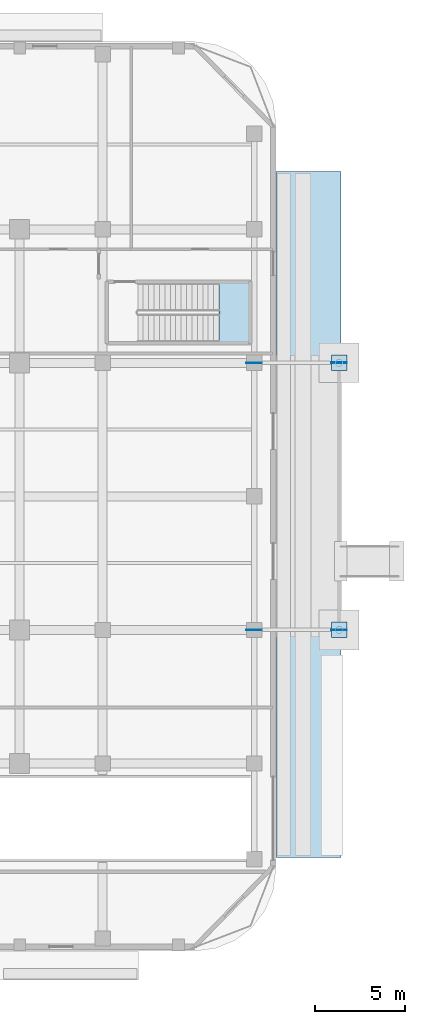
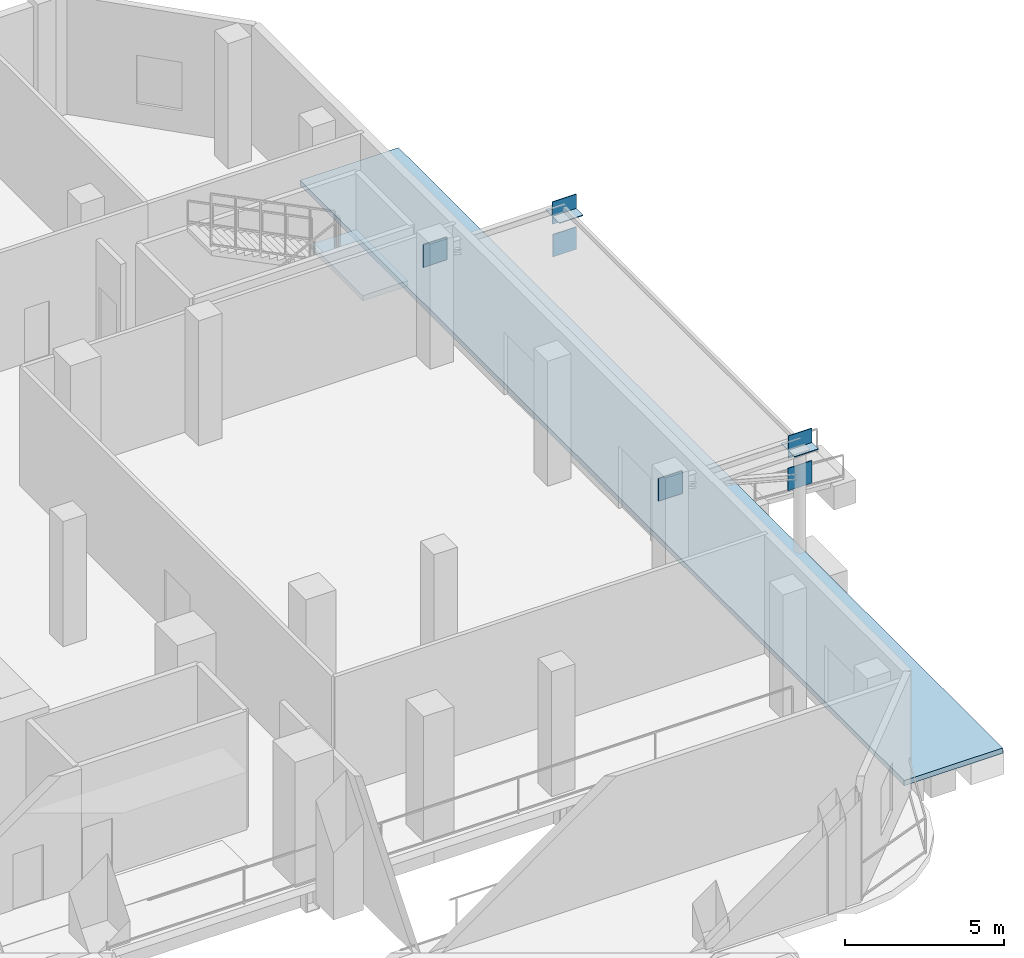
# One storey, part 12 of 24: 8 plates, 2 slabs, 1 element without a shape of its own.
"""IFC4 building model written with IfcOpenShell, lengths in metres."""

import ifcopenshell
import ifcopenshell.guid

model = None  # the IFC model being written
_history = None  # IfcOwnerHistory: only IFC2X3 demands one
_inside = {}  # id of a spatial element -> (the spatial element, [elements in it])
_under = {}  # id of a project, library or spatial element -> (it, [spatial elements below it])
_declared = {}  # id of a project -> (the project, [libraries it declares])
_typed = {}  # id of a type object -> (the type object, [elements of that type])
_made_of = {}  # id of a material, layer set ... -> (it, [elements and type objects made of it])


def new_model(schema):
    """Start an empty IFC model of exactly this schema.

    Asked for "IFC4X3", IfcOpenShell would pick the latest addendum, in which some entities
    have other attributes; the version numbers below select the first issue.
    IFC2X3 requires an IfcOwnerHistory on every rooted entity: one is made here for all.
    """
    global model, _history
    if schema == "IFC4X3":
        model = ifcopenshell.file(schema_version=(4, 3, 0, 0))
    else:
        model = ifcopenshell.file(schema=schema)
    _inside.clear()
    _under.clear()
    _declared.clear()
    _typed.clear()
    _made_of.clear()
    _history = None
    if model.schema == "IFC2X3":
        org = make("IfcOrganization", Name="unknown")
        user = make(
            "IfcPersonAndOrganization",
            ThePerson=make("IfcPerson", FamilyName="unknown"),
            TheOrganization=org,
        )
        app = make(
            "IfcApplication",
            ApplicationDeveloper=org,
            Version="unknown",
            ApplicationFullName="unknown",
            ApplicationIdentifier="unknown",
        )
        _history = make(
            "IfcOwnerHistory",
            OwningUser=user,
            OwningApplication=app,
            ChangeAction="ADDED",
            CreationDate=0,
        )
    return model


def make(cls, **values):
    """One entity of the class cls with the attributes given. An attribute that is None is left unset."""
    return model.create_entity(
        cls, **{name: value for name, value in values.items() if value is not None}
    )


def rooted(cls, **values):
    """An entity with a GlobalId (a new one), such as an element, a storey or a relation."""
    return make(cls, GlobalId=ifcopenshell.guid.new(), OwnerHistory=_history, **values)


def si_unit(unit_type, name, prefix=None):
    """IfcSIUnit, for example si_unit("LENGTHUNIT", "METRE", prefix="MILLI")."""
    return make("IfcSIUnit", UnitType=unit_type, Prefix=prefix, Name=name)


def assignment(units):
    """IfcUnitAssignment: the units of a project."""
    return None if units is None else make("IfcUnitAssignment", Units=units)


def point(xyz):
    """IfcCartesianPoint."""
    return None if xyz is None else make("IfcCartesianPoint", Coordinates=xyz)


def direction(xyz):
    """IfcDirection."""
    return None if xyz is None else make("IfcDirection", DirectionRatios=xyz)


def frame(location, z_axis=None, x_axis=None):
    """IfcAxis2Placement3D, a coordinate frame: its origin and axes. An axis left out is left unset."""
    return make(
        "IfcAxis2Placement3D",
        Location=point(location),
        Axis=direction(z_axis),
        RefDirection=direction(x_axis),
    )


def frame_2d(location, x_axis=None):
    """IfcAxis2Placement2D, a coordinate frame in the plane: its origin and x axis."""
    return make(
        "IfcAxis2Placement2D", Location=point(location), RefDirection=direction(x_axis)
    )


def origin():
    """The frame at (0, 0, 0) with its axes left unset."""
    return frame((0.0, 0.0, 0.0))


def origin_2d():
    """The frame at (0, 0) in the plane with its x axis left unset."""
    return frame_2d((0.0, 0.0))


def place(relative_to, where):
    """IfcLocalPlacement: puts the frame where relative to a parent placement (None: the world)."""
    return make(
        "IfcLocalPlacement", PlacementRelTo=relative_to, RelativePlacement=where
    )


def context(
    kind, dimensions, precision=None, world=None, true_north=None, identifier=None
):
    """IfcGeometricRepresentationContext, for example the 3D "Model" context."""
    return make(
        "IfcGeometricRepresentationContext",
        ContextIdentifier=identifier,
        ContextType=kind,
        CoordinateSpaceDimension=dimensions,
        Precision=precision,
        WorldCoordinateSystem=world,
        TrueNorth=true_north,
    )


def subcontext(parent, identifier, kind, view, scale=None):
    """IfcGeometricRepresentationSubContext, for example "Body" below "Model"."""
    return make(
        "IfcGeometricRepresentationSubContext",
        ContextIdentifier=identifier,
        ContextType=kind,
        ParentContext=parent,
        TargetScale=scale,
        TargetView=view,
    )


def project(units=None, contexts=None):
    """IfcProject with its units and contexts."""
    return rooted(
        "IfcProject",
        Name="project",
        RepresentationContexts=contexts,
        UnitsInContext=assignment(units),
    )


def spatial(cls, under=None, at=None, **own):
    """A site, building, storey or space (cls), placed at a placement, below another one or the project."""
    s = rooted(cls, ObjectPlacement=at, **own)
    if under is not None:
        _under.setdefault(under.id(), (under, []))[1].append(s)
    return s


def polyline(points):
    """IfcPolyline through the points."""
    return make("IfcPolyline", Points=[point(p) for p in points])


def profile(cls, at=None, kind="AREA", **sizes):
    """A parametric profile (cls). Its sizes go by their IFC names, for example OverallWidth=200.0."""
    return make(cls, ProfileType=kind, Position=at, **sizes)


def rectangle(**sizes):
    """IfcRectangleProfileDef."""
    return profile("IfcRectangleProfileDef", **sizes)


def outline(outer, holes=None, kind="AREA"):
    """IfcArbitraryClosedProfileDef: a profile drawn as a closed curve; with holes, ...WithVoids."""
    if holes is None:
        return make("IfcArbitraryClosedProfileDef", ProfileType=kind, OuterCurve=outer)
    return make(
        "IfcArbitraryProfileDefWithVoids",
        ProfileType=kind,
        OuterCurve=outer,
        InnerCurves=holes,
    )


def extrude(swept, where, along, depth):
    """IfcExtrudedAreaSolid: the profile swept, set in the frame where, extruded along a direction by depth."""
    return make(
        "IfcExtrudedAreaSolid",
        SweptArea=swept,
        Position=where,
        ExtrudedDirection=direction(along),
        Depth=depth,
    )


def shape(context_of_items, identifier, shape_type, items):
    """IfcShapeRepresentation: the items that make up one representation, for example the "Body"."""
    return make(
        "IfcShapeRepresentation",
        ContextOfItems=context_of_items,
        RepresentationIdentifier=identifier,
        RepresentationType=shape_type,
        Items=items,
    )


def material(Name=None, Category=None):
    """IfcMaterial."""
    return make("IfcMaterial", Name=Name, Category=Category)


def layer(
    of_material, thickness, ventilated=None, Name=None, Category=None, Priority=None
):
    """IfcMaterialLayer: one layer of a wall or slab, of a material (None: an air gap)."""
    return make(
        "IfcMaterialLayer",
        Material=of_material,
        LayerThickness=thickness,
        IsVentilated=ventilated,
        Name=Name,
        Category=Category,
        Priority=Priority,
    )


def layer_set(layers, Name=None):
    """IfcMaterialLayerSet."""
    return make("IfcMaterialLayerSet", MaterialLayers=layers, LayerSetName=Name)


def made_of(thing, what):
    """Note that an element or type object is made of a material, layer set ...; save() writes the relation."""
    if what is not None:
        _made_of.setdefault(what.id(), (what, []))[1].append(thing)
    return thing


def type_object(cls, material=None, **own):
    """A type object (cls), such as IfcWallType, which elements share."""
    return made_of(rooted(cls, **own), material)


def element(
    cls,
    number,
    at=None,
    inside=None,
    cuts=None,
    type_object=None,
    material=None,
    context=None,
    identifier="Body",
    shape_type=None,
    held_by="IfcProductDefinitionShape",
    body=None,
    shapes=None,
    **own,
):
    """One element of the class cls, such as IfcWall. Its Tag is "e" and its number.

    at: its placement. inside: the storey or other place that contains it. cuts: it is an
    opening in that element (IfcRelVoidsElement). A single representation is given by context,
    identifier, shape_type and body (its items); several are given by shapes. held_by: the class
    of the entity that holds the representations. save() writes the other relations.
    """
    e = rooted(cls, Tag="e%d" % number, ObjectPlacement=at, **own)
    if body is not None:
        shapes = [shape(context, identifier, shape_type, body)]
    if shapes is not None:
        e.Representation = make(held_by, Representations=shapes)
    if inside is not None:
        _inside.setdefault(inside.id(), (inside, []))[1].append(e)
    if cuts is not None:
        rooted(
            "IfcRelVoidsElement", RelatingBuildingElement=cuts, RelatedOpeningElement=e
        )
    if type_object is not None:
        _typed.setdefault(type_object.id(), (type_object, []))[1].append(e)
    return made_of(e, material)


def aggregate(whole, parts):
    """IfcRelAggregates: a whole, such as a stair, and the parts it consists of."""
    return rooted("IfcRelAggregates", RelatingObject=whole, RelatedObjects=parts)


def save(model, path):
    """Write the relations noted so far, then the file.

    IfcRelAggregates (storeys below a building ...), IfcRelContainedInSpatialStructure (elements
    in a storey), IfcRelDefinesByType, IfcRelAssociatesMaterial and IfcRelDeclares: one each for
    every whole, place, type object, material and project.
    """
    for whole, parts in _under.values():
        aggregate(whole, parts)
    for where, things in _inside.values():
        rooted(
            "IfcRelContainedInSpatialStructure",
            RelatedElements=things,
            RelatingStructure=where,
        )
    for kind, things in _typed.values():
        rooted("IfcRelDefinesByType", RelatedObjects=things, RelatingType=kind)
    for what, things in _made_of.values():
        rooted("IfcRelAssociatesMaterial", RelatedObjects=things, RelatingMaterial=what)
    for by, libraries in _declared.values():
        rooted("IfcRelDeclares", RelatingContext=by, RelatedDefinitions=libraries)
    model.write(path)


model = new_model("IFC4")

# Units and contexts
model_context = context("Model", 3, precision=1e-05, world=origin(), true_north=direction((0.0, 1.0)))
body_context = subcontext(model_context, "Body", "Model", "MODEL_VIEW")
ifc_project = project(units=[si_unit("LENGTHUNIT", "METRE"), si_unit("AREAUNIT", "SQUARE_METRE"), si_unit("VOLUMEUNIT", "CUBIC_METRE"), si_unit("PLANEANGLEUNIT", "RADIAN"), si_unit("MASSUNIT", "GRAM", prefix="KILO")], contexts=[model_context])

# Site, building, storey
site_placement = place(None, origin())
site = spatial("IfcSite", under=ifc_project, at=site_placement, CompositionType="ELEMENT")
building_placement = place(site_placement, origin())
building = spatial("IfcBuilding", under=site, at=building_placement, Name="Khorvyn Point Tower", CompositionType="ELEMENT")
storey_placement = place(building_placement, origin())
storey = spatial("IfcBuildingStorey", under=building, at=storey_placement, Name="L01", CompositionType="ELEMENT", Elevation=0.0)

# Stair, slab
ifc_material_1 = material(Name="Concrete C40/50", Category="concrete")
stair_type = type_object("IfcStairType", Name="School Podium Concrete C40/50 Wide Exit Stair", PredefinedType="HALF_TURN_STAIR", material=ifc_material_1)
stair_placement = place(storey_placement, origin())
stair = element("IfcStair", 1, at=stair_placement, inside=storey, type_object=stair_type, Name="L01 School Podium Smokeproof Stair Northeast", PredefinedType="HALF_TURN_STAIR")
ifc_layer_1 = layer(ifc_material_1, 0.199951171875)
ifc_layer_set_1 = layer_set([ifc_layer_1], Name="Concrete C40/50 Stair Landing Slab 200")
slab_type_1 = type_object("IfcSlabType", Name="Concrete C40/50 Stair Landing Slab 200", PredefinedType="LANDING", material=ifc_layer_set_1)
slab_1_placement = place(storey_placement, frame((0.0, 0.0, 2.199951171875)))
slab_1 = element("IfcSlab", 2, at=slab_1_placement, type_object=slab_type_1, Name="ST-S3 landing 1", PredefinedType="LANDING", context=body_context, shape_type="SweptSolid", body=[
    extrude(outline(polyline([(30.449951171875, 8.56005859375), (32.10009765625, 8.56005859375), (32.10009765625, 11.820068359375), (30.449951171875, 11.820068359375), (30.449951171875, 8.56005859375)])), origin(), (0.0, 0.0, 1.0), 0.199951171875),
])
aggregate(stair, [slab_1])

# Slab
ifc_material_2 = material(Name="Precast concrete C35/45", Category="concrete")
ifc_layer_2 = layer(ifc_material_2, 0.199951171875)
ifc_layer_set_2 = layer_set([ifc_layer_2], Name="Precast Concrete C35/45 Forecourt Paving Slab 200")
slab_type_2 = type_object("IfcSlabType", Name="Precast Concrete C35/45 Forecourt Paving Slab 200", PredefinedType="USERDEFINED", material=ifc_layer_set_2)
slab_2_placement = place(storey_placement, frame((0.0, 0.0, -0.199951171875)))
element("IfcSlab", 3, at=slab_2_placement, inside=storey, type_object=slab_type_2, Name="L01 Tower East Drop-Off and Ramp Apron Paving", ObjectType="PAVING", PredefinedType="USERDEFINED", context=body_context, shape_type="SweptSolid", body=[
    extrude(outline(polyline([(33.6201171875, -20.0), (37.199951171875, -20.0), (37.199951171875, 18.0), (33.6201171875, 18.0), (33.6201171875, -20.0)])), origin(), (0.0, 0.0, 1.0), 0.199951171875),
])

# Plates
ifc_material_3 = material(Name="Steel S450", Category="steel")
ifc_layer_3 = layer(ifc_material_3, 0.031982421875)
ifc_layer_set_3 = layer_set([ifc_layer_3], Name="Steel S450 Exoskeleton End Cap Plate 32")
plate_type = type_object("IfcPlateType", Name="Steel S450 Exoskeleton End Cap Plate 32", PredefinedType="USERDEFINED", material=ifc_layer_set_3)
for number, where, z_axis, x_axis, name in (
    (4, (37.10009765625, -7.39990234375, 2.419921875), (0.0, 0.0, 1.0), (1.0, 0.0, 0.0), "NP-CN-OUT-E1"),
    (5, (32.39990234375, -7.39990234375, 3.669921875), (0.0, 0.0, 1.0), (1.0, 0.0, 0.0), "NP-CN-IN-E1"),
    (6, (37.10009765625, 7.39990234375, 2.419921875), (0.0, 0.0, 1.0), (1.0, 0.0, 0.0), "NP-CN-OUT-E2"),
    (7, (32.39990234375, 7.39990234375, 3.669921875), (0.0, 0.0, 1.0), (1.0, 0.0, 0.0), "NP-CN-IN-E2"),
):
    element("IfcPlate", number, at=place(storey_placement, frame(where, z_axis=z_axis, x_axis=x_axis)), inside=storey, type_object=plate_type, Name=name, ObjectType="GUSSET", PredefinedType="USERDEFINED", context=body_context, shape_type="SweptSolid", body=[
        extrude(rectangle(XDim=0.860107421875, YDim=0.031982421875, at=origin_2d()), origin(), (0.0, 0.0, 1.0), 0.860107421875),
    ])
for number, where, z_axis, x_axis, name in (
    (8, (37.10009765625, -7.39990234375, 3.9541015625), (0.0, 0.0, 1.0), (1.0, 0.0, 0.0), "Plate"),
    (9, (37.10009765625, 7.39990234375, 3.9541015625), (0.0, 0.0, 1.0), (1.0, 0.0, 0.0), "Plate"),
):
    element("IfcPlate", number, at=place(storey_placement, frame(where, z_axis=z_axis, x_axis=x_axis)), inside=storey, type_object=plate_type, Name=name, ObjectType="GUSSET", PredefinedType="USERDEFINED", context=body_context, shape_type="SweptSolid", body=[
        extrude(rectangle(XDim=0.860107421875, YDim=0.860107421875, at=origin_2d()), origin(), (0.0, 0.0, 1.0), 0.031982421875),
    ])
for number, where, z_axis, x_axis, name in (
    (10, (37.10009765625, -7.409912109375, 3.669921875), (0.0, 0.0, 1.0), (1.0, 0.0, 0.0), "Plate"),
    (11, (37.10009765625, 7.409912109375, 3.669921875), (0.0, 0.0, 1.0), (1.0, 0.0, 0.0), "Plate"),
):
    element("IfcPlate", number, at=place(storey_placement, frame(where, z_axis=z_axis, x_axis=x_axis)), inside=storey, type_object=plate_type, Name=name, ObjectType="GUSSET", PredefinedType="USERDEFINED", context=body_context, shape_type="SweptSolid", body=[
        extrude(rectangle(XDim=0.860107421875, YDim=0.031982421875, at=origin_2d()), origin(), (0.0, 0.0, 1.0), 0.860107421875),
    ])

save(model, "model.ifc")
